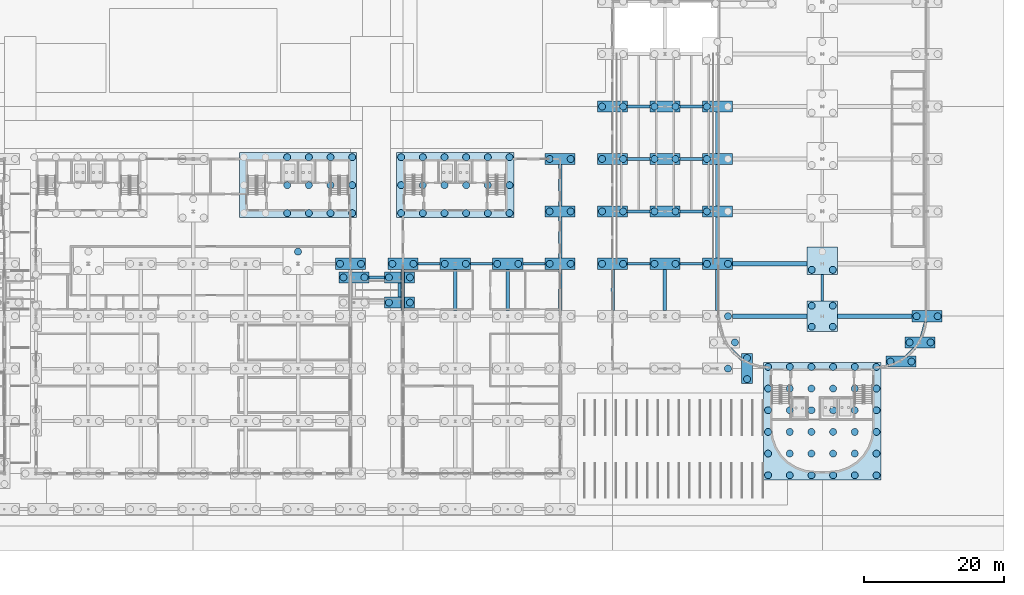
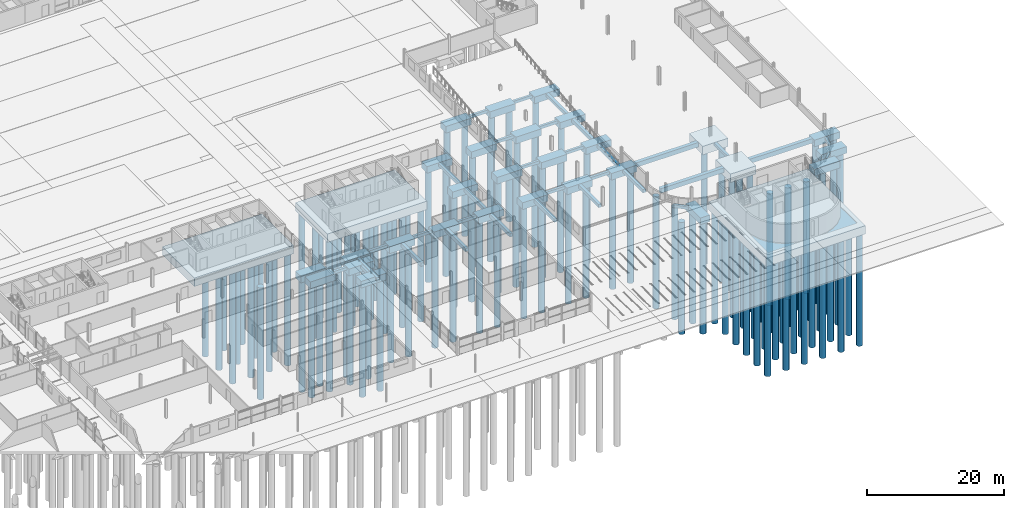
# One storey, part 5 of 130: 125 piles, 63 footings.
"""IFC4 building model written with IfcOpenShell, lengths in metres."""

import ifcopenshell
import ifcopenshell.guid

model = None  # the IFC model being written
_history = None  # IfcOwnerHistory: only IFC2X3 demands one
_inside = {}  # id of a spatial element -> (the spatial element, [elements in it])
_under = {}  # id of a project, library or spatial element -> (it, [spatial elements below it])
_declared = {}  # id of a project -> (the project, [libraries it declares])
_typed = {}  # id of a type object -> (the type object, [elements of that type])
_made_of = {}  # id of a material, layer set ... -> (it, [elements and type objects made of it])


def new_model(schema):
    """Start an empty IFC model of exactly this schema.

    Asked for "IFC4X3", IfcOpenShell would pick the latest addendum, in which some entities
    have other attributes; the version numbers below select the first issue.
    IFC2X3 requires an IfcOwnerHistory on every rooted entity: one is made here for all.
    """
    global model, _history
    if schema == "IFC4X3":
        model = ifcopenshell.file(schema_version=(4, 3, 0, 0))
    else:
        model = ifcopenshell.file(schema=schema)
    _inside.clear()
    _under.clear()
    _declared.clear()
    _typed.clear()
    _made_of.clear()
    _history = None
    if model.schema == "IFC2X3":
        org = make("IfcOrganization", Name="unknown")
        user = make(
            "IfcPersonAndOrganization",
            ThePerson=make("IfcPerson", FamilyName="unknown"),
            TheOrganization=org,
        )
        app = make(
            "IfcApplication",
            ApplicationDeveloper=org,
            Version="unknown",
            ApplicationFullName="unknown",
            ApplicationIdentifier="unknown",
        )
        _history = make(
            "IfcOwnerHistory",
            OwningUser=user,
            OwningApplication=app,
            ChangeAction="ADDED",
            CreationDate=0,
        )
    return model


def make(cls, **values):
    """One entity of the class cls with the attributes given. An attribute that is None is left unset."""
    return model.create_entity(
        cls, **{name: value for name, value in values.items() if value is not None}
    )


def rooted(cls, **values):
    """An entity with a GlobalId (a new one), such as an element, a storey or a relation."""
    return make(cls, GlobalId=ifcopenshell.guid.new(), OwnerHistory=_history, **values)


def si_unit(unit_type, name, prefix=None):
    """IfcSIUnit, for example si_unit("LENGTHUNIT", "METRE", prefix="MILLI")."""
    return make("IfcSIUnit", UnitType=unit_type, Prefix=prefix, Name=name)


def assignment(units):
    """IfcUnitAssignment: the units of a project."""
    return None if units is None else make("IfcUnitAssignment", Units=units)


def point(xyz):
    """IfcCartesianPoint."""
    return None if xyz is None else make("IfcCartesianPoint", Coordinates=xyz)


def direction(xyz):
    """IfcDirection."""
    return None if xyz is None else make("IfcDirection", DirectionRatios=xyz)


def frame(location, z_axis=None, x_axis=None):
    """IfcAxis2Placement3D, a coordinate frame: its origin and axes. An axis left out is left unset."""
    return make(
        "IfcAxis2Placement3D",
        Location=point(location),
        Axis=direction(z_axis),
        RefDirection=direction(x_axis),
    )


def frame_2d(location, x_axis=None):
    """IfcAxis2Placement2D, a coordinate frame in the plane: its origin and x axis."""
    return make(
        "IfcAxis2Placement2D", Location=point(location), RefDirection=direction(x_axis)
    )


def origin():
    """The frame at (0, 0, 0) with its axes left unset."""
    return frame((0.0, 0.0, 0.0))


def origin_2d():
    """The frame at (0, 0) in the plane with its x axis left unset."""
    return frame_2d((0.0, 0.0))


def place(relative_to, where):
    """IfcLocalPlacement: puts the frame where relative to a parent placement (None: the world)."""
    return make(
        "IfcLocalPlacement", PlacementRelTo=relative_to, RelativePlacement=where
    )


def context(
    kind, dimensions, precision=None, world=None, true_north=None, identifier=None
):
    """IfcGeometricRepresentationContext, for example the 3D "Model" context."""
    return make(
        "IfcGeometricRepresentationContext",
        ContextIdentifier=identifier,
        ContextType=kind,
        CoordinateSpaceDimension=dimensions,
        Precision=precision,
        WorldCoordinateSystem=world,
        TrueNorth=true_north,
    )


def subcontext(parent, identifier, kind, view, scale=None):
    """IfcGeometricRepresentationSubContext, for example "Body" below "Model"."""
    return make(
        "IfcGeometricRepresentationSubContext",
        ContextIdentifier=identifier,
        ContextType=kind,
        ParentContext=parent,
        TargetScale=scale,
        TargetView=view,
    )


def project(units=None, contexts=None):
    """IfcProject with its units and contexts."""
    return rooted(
        "IfcProject",
        Name="project",
        RepresentationContexts=contexts,
        UnitsInContext=assignment(units),
    )


def spatial(cls, under=None, at=None, **own):
    """A site, building, storey or space (cls), placed at a placement, below another one or the project."""
    s = rooted(cls, ObjectPlacement=at, **own)
    if under is not None:
        _under.setdefault(under.id(), (under, []))[1].append(s)
    return s


def profile(cls, at=None, kind="AREA", **sizes):
    """A parametric profile (cls). Its sizes go by their IFC names, for example OverallWidth=200.0."""
    return make(cls, ProfileType=kind, Position=at, **sizes)


def rectangle(**sizes):
    """IfcRectangleProfileDef."""
    return profile("IfcRectangleProfileDef", **sizes)


def circle(**sizes):
    """IfcCircleProfileDef."""
    return profile("IfcCircleProfileDef", **sizes)


def extrude(swept, where, along, depth):
    """IfcExtrudedAreaSolid: the profile swept, set in the frame where, extruded along a direction by depth."""
    return make(
        "IfcExtrudedAreaSolid",
        SweptArea=swept,
        Position=where,
        ExtrudedDirection=direction(along),
        Depth=depth,
    )


def shape(context_of_items, identifier, shape_type, items):
    """IfcShapeRepresentation: the items that make up one representation, for example the "Body"."""
    return make(
        "IfcShapeRepresentation",
        ContextOfItems=context_of_items,
        RepresentationIdentifier=identifier,
        RepresentationType=shape_type,
        Items=items,
    )


def material(Name=None, Category=None):
    """IfcMaterial."""
    return make("IfcMaterial", Name=Name, Category=Category)


def material_profile(
    of_material, cross_section, Name=None, Category=None, Priority=None
):
    """IfcMaterialProfile: a cross section and its material."""
    return make(
        "IfcMaterialProfile",
        Name=Name,
        Material=of_material,
        Profile=cross_section,
        Priority=Priority,
        Category=Category,
    )


def profile_set(profiles, Name=None, composite=None):
    """IfcMaterialProfileSet."""
    return make(
        "IfcMaterialProfileSet",
        Name=Name,
        MaterialProfiles=profiles,
        CompositeProfile=composite,
    )


def made_of(thing, what):
    """Note that an element or type object is made of a material, layer set ...; save() writes the relation."""
    if what is not None:
        _made_of.setdefault(what.id(), (what, []))[1].append(thing)
    return thing


def type_object(cls, material=None, **own):
    """A type object (cls), such as IfcWallType, which elements share."""
    return made_of(rooted(cls, **own), material)


def element(
    cls,
    number,
    at=None,
    inside=None,
    cuts=None,
    type_object=None,
    material=None,
    context=None,
    identifier="Body",
    shape_type=None,
    held_by="IfcProductDefinitionShape",
    body=None,
    shapes=None,
    **own,
):
    """One element of the class cls, such as IfcWall. Its Tag is "e" and its number.

    at: its placement. inside: the storey or other place that contains it. cuts: it is an
    opening in that element (IfcRelVoidsElement). A single representation is given by context,
    identifier, shape_type and body (its items); several are given by shapes. held_by: the class
    of the entity that holds the representations. save() writes the other relations.
    """
    e = rooted(cls, Tag="e%d" % number, ObjectPlacement=at, **own)
    if body is not None:
        shapes = [shape(context, identifier, shape_type, body)]
    if shapes is not None:
        e.Representation = make(held_by, Representations=shapes)
    if inside is not None:
        _inside.setdefault(inside.id(), (inside, []))[1].append(e)
    if cuts is not None:
        rooted(
            "IfcRelVoidsElement", RelatingBuildingElement=cuts, RelatedOpeningElement=e
        )
    if type_object is not None:
        _typed.setdefault(type_object.id(), (type_object, []))[1].append(e)
    return made_of(e, material)


def aggregate(whole, parts):
    """IfcRelAggregates: a whole, such as a stair, and the parts it consists of."""
    return rooted("IfcRelAggregates", RelatingObject=whole, RelatedObjects=parts)


def save(model, path):
    """Write the relations noted so far, then the file.

    IfcRelAggregates (storeys below a building ...), IfcRelContainedInSpatialStructure (elements
    in a storey), IfcRelDefinesByType, IfcRelAssociatesMaterial and IfcRelDeclares: one each for
    every whole, place, type object, material and project.
    """
    for whole, parts in _under.values():
        aggregate(whole, parts)
    for where, things in _inside.values():
        rooted(
            "IfcRelContainedInSpatialStructure",
            RelatedElements=things,
            RelatingStructure=where,
        )
    for kind, things in _typed.values():
        rooted("IfcRelDefinesByType", RelatedObjects=things, RelatingType=kind)
    for what, things in _made_of.values():
        rooted("IfcRelAssociatesMaterial", RelatedObjects=things, RelatingMaterial=what)
    for by, libraries in _declared.values():
        rooted("IfcRelDeclares", RelatingContext=by, RelatedDefinitions=libraries)
    model.write(path)


model = new_model("IFC4")

# Units and contexts
model_context = context("Model", 3, precision=1e-05, world=origin(), true_north=direction((0.0, 1.0)))
body_context = subcontext(model_context, "Body", "Model", "MODEL_VIEW")
ifc_project = project(units=[si_unit("LENGTHUNIT", "METRE"), si_unit("AREAUNIT", "SQUARE_METRE"), si_unit("VOLUMEUNIT", "CUBIC_METRE"), si_unit("PLANEANGLEUNIT", "RADIAN"), si_unit("MASSUNIT", "GRAM", prefix="KILO")], contexts=[model_context])

# Site, building, storey
site_placement = place(None, origin())
site = spatial("IfcSite", under=ifc_project, at=site_placement, CompositionType="ELEMENT")
building_placement = place(site_placement, origin())
building = spatial("IfcBuilding", under=site, at=building_placement, Name="Parallax Yard Mobility Hub", CompositionType="ELEMENT")
storey_placement = place(building_placement, origin())
storey = spatial("IfcBuildingStorey", under=building, at=storey_placement, Name="L00", CompositionType="ELEMENT", Elevation=0.0)

# Piles
ifc_material = material(Name="Concrete fc' 28 MPa", Category="concrete")
ifc_material_profile_1 = material_profile(ifc_material, circle(Radius=0.5, at=origin_2d()), Name="Bored pile D1000")
ifc_profile_set_1 = profile_set([ifc_material_profile_1], Name="Concrete fc' 28 MPa")
pile_type = type_object("IfcPileType", Name="Bored pile D1000", PredefinedType="BORED", material=ifc_profile_set_1)
for number, where, z_axis, x_axis, name in (
    (1, (196.5048828125, 22.5, -1.35009765625), (0.0, 0.0, -1.0), (1.0, 0.0, 0.0), "Bored pile 2 of PC1 under column V2 at D/27"),
    (2, (178.4951171875, 37.5, -1.35009765625), (0.0, 0.0, -1.0), (1.0, 0.0, 0.0), "Bored pile 1 of PC1 under column V2 at F/25"),
    (3, (181.5048828125, 37.5, -1.35009765625), (0.0, 0.0, -1.0), (1.0, 0.0, 0.0), "Bored pile 2 of PC1 under column V2 at F/25"),
    (4, (185.9951171875, 37.5, -1.35009765625), (0.0, 0.0, -1.0), (1.0, 0.0, 0.0), "Bored pile 1 of PC1 under column V2 at F/26"),
    (5, (189.0048828125, 37.5, -1.35009765625), (0.0, 0.0, -1.0), (1.0, 0.0, 0.0), "Bored pile 2 of PC1 under column V2 at F/26"),
    (6, (178.4951171875, 45.0, -1.35009765625), (0.0, 0.0, -1.0), (1.0, 0.0, 0.0), "Bored pile 1 of PC1 under column V2 at G/25"),
    (7, (181.5048828125, 45.0, -1.35009765625), (0.0, 0.0, -1.0), (1.0, 0.0, 0.0), "Bored pile 2 of PC1 under column V2 at G/25"),
    (8, (185.9951171875, 45.0, -1.35009765625), (0.0, 0.0, -1.0), (1.0, 0.0, 0.0), "Bored pile 1 of PC1 under column V2 at G/26"),
    (9, (189.0048828125, 45.0, -1.35009765625), (0.0, 0.0, -1.0), (1.0, 0.0, 0.0), "Bored pile 2 of PC1 under column V2 at G/26"),
    (10, (178.4951171875, 52.5, -1.35009765625), (0.0, 0.0, -1.0), (1.0, 0.0, 0.0), "Bored pile 1 of PC1 under column V2 at H/25"),
    (11, (181.5048828125, 52.5, -1.35009765625), (0.0, 0.0, -1.0), (1.0, 0.0, 0.0), "Bored pile 2 of PC1 under column V2 at H/25"),
    (12, (185.9951171875, 52.5, -1.35009765625), (0.0, 0.0, -1.0), (1.0, 0.0, 0.0), "Bored pile 1 of PC1 under column V2 at H/26"),
    (13, (189.0048828125, 52.5, -1.35009765625), (0.0, 0.0, -1.0), (1.0, 0.0, 0.0), "Bored pile 2 of PC1 under column V2 at H/26"),
    (14, (178.4951171875, 60.0, -1.35009765625), (0.0, 0.0, -1.0), (1.0, 0.0, 0.0), "Bored pile 1 of PC1 under column V2 at J/25"),
    (15, (181.5048828125, 60.0, -1.35009765625), (0.0, 0.0, -1.0), (1.0, 0.0, 0.0), "Bored pile 2 of PC1 under column V2 at J/25"),
    (16, (185.9951171875, 60.0, -1.35009765625), (0.0, 0.0, -1.0), (1.0, 0.0, 0.0), "Bored pile 1 of PC1 under column V2 at J/26"),
    (17, (189.0048828125, 60.0, -1.35009765625), (0.0, 0.0, -1.0), (1.0, 0.0, 0.0), "Bored pile 2 of PC1 under column V2 at J/26"),
    (18, (196.5048828125, 30.0, -1.35009765625), (0.0, 0.0, -1.0), (1.0, 0.0, 0.0), "Bored pile 2 of PC1 under column V4 at E/27"),
    (19, (208.4951171875, 28.4951171875, -1.64990234375), (0.0, 0.0, -1.0), (1.0, 0.0, 0.0), "Bored pile 1 of PC2 under column V4 at E/29"),
    (20, (211.5048828125, 28.4951171875, -1.64990234375), (0.0, 0.0, -1.0), (1.0, 0.0, 0.0), "Bored pile 2 of PC2 under column V4 at E/29"),
    (21, (208.4951171875, 31.5048828125, -1.64990234375), (0.0, 0.0, -1.0), (1.0, 0.0, 0.0), "Bored pile 3 of PC2 under column V4 at E/29"),
    (22, (211.5048828125, 31.5048828125, -1.64990234375), (0.0, 0.0, -1.0), (1.0, 0.0, 0.0), "Bored pile 4 of PC2 under column V4 at E/29"),
    (23, (223.4951171875, 30.0, -1.35009765625), (0.0, 0.0, -1.0), (1.0, 0.0, 0.0), "Bored pile 1 of PC1 under column V4 at E/31"),
    (24, (226.5048828125, 30.0, -1.35009765625), (0.0, 0.0, -1.0), (1.0, 0.0, 0.0), "Bored pile 2 of PC1 under column V4 at E/31"),
    (25, (193.4951171875, 37.5, -1.35009765625), (0.0, 0.0, -1.0), (1.0, 0.0, 0.0), "Bored pile 1 of PC1 under column V4 at F/27"),
    (26, (196.5048828125, 37.5, -1.35009765625), (0.0, 0.0, -1.0), (1.0, 0.0, 0.0), "Bored pile 2 of PC1 under column V4 at F/27"),
    (27, (208.4951171875, 36.631103515625, -1.64990234375), (0.0, 0.0, -1.0), (1.0, 0.0, 0.0), "Bored pile 1 of PC3 under column V4 at F/29"),
    (28, (211.5048828125, 36.631103515625, -1.64990234375), (0.0, 0.0, -1.0), (1.0, 0.0, 0.0), "Bored pile 2 of PC3 under column V4 at F/29"),
    (29, (193.4951171875, 45.0, -1.35009765625), (0.0, 0.0, -1.0), (1.0, 0.0, 0.0), "Bored pile 1 of PC1 under column V4 at G/27"),
    (30, (193.4951171875, 52.5, -1.35009765625), (0.0, 0.0, -1.0), (1.0, 0.0, 0.0), "Bored pile 1 of PC1 under column V4 at H/27"),
    (31, (193.4951171875, 60.0, -1.35009765625), (0.0, 0.0, -1.0), (1.0, 0.0, 0.0), "Bored pile 1 of PC1 under column V4 at J/27"),
    (32, (219.7451171875, 23.5048828125, -1.35009765625), (0.0, 0.0, -1.0), (1.0, 0.0, 0.0), "Bored pile 1 of PC1 under column V4 at S-E1"),
    (33, (222.7548828125, 23.5048828125, -1.35009765625), (0.0, 0.0, -1.0), (1.0, 0.0, 0.0), "Bored pile 2 of PC1 under column V4 at S-E1"),
    (34, (222.490234375, 26.25, -1.35009765625), (0.0, 0.0, -1.0), (1.0, 0.0, 0.0), "Bored pile 1 of PC1 under column V4 at S-E2"),
    (35, (225.500244140625, 26.25, -1.35009765625), (0.0, 0.0, -1.0), (1.0, 0.0, 0.0), "Bored pile 2 of PC1 under column V4 at S-E2"),
    (36, (197.509765625, 26.25, -1.35009765625), (0.0, 0.0, -1.0), (1.0, 0.0, 0.0), "Bored pile 2 of PC1 under column V4 at S-W1"),
    (37, (199.25, 20.999755859375, -1.35009765625), (0.0, 0.0, -1.0), (1.0, 0.0, 0.0), "Bored pile 1 of PC1 under column V4 at S-W2"),
    (38, (199.25, 24.009765625, -1.35009765625), (0.0, 0.0, -1.0), (1.0, 0.0, 0.0), "Bored pile 2 of PC1 under column V4 at S-W2"),
    (39, (148.4951171875, 37.5, -1.35009765625), (0.0, 0.0, -1.0), (1.0, 0.0, 0.0), "Bored pile 1 of PC1 under column V5 at F/21"),
    (40, (151.5048828125, 37.5, -1.35009765625), (0.0, 0.0, -1.0), (1.0, 0.0, 0.0), "Bored pile 2 of PC1 under column V5 at F/21"),
    (41, (155.9951171875, 37.5, -1.35009765625), (0.0, 0.0, -1.0), (1.0, 0.0, 0.0), "Bored pile 1 of PC1 under column V5 at F/22"),
    (42, (159.0048828125, 37.5, -1.35009765625), (0.0, 0.0, -1.0), (1.0, 0.0, 0.0), "Bored pile 2 of PC1 under column V5 at F/22"),
    (43, (163.4951171875, 37.5, -1.35009765625), (0.0, 0.0, -1.0), (1.0, 0.0, 0.0), "Bored pile 1 of PC1 under column V5 at F/23"),
    (44, (166.5048828125, 37.5, -1.35009765625), (0.0, 0.0, -1.0), (1.0, 0.0, 0.0), "Bored pile 2 of PC1 under column V5 at F/23"),
    (45, (170.9951171875, 37.5, -1.35009765625), (0.0, 0.0, -1.0), (1.0, 0.0, 0.0), "Bored pile 1 of PC1 under column V5 at F/24"),
    (46, (174.0048828125, 37.5, -1.35009765625), (0.0, 0.0, -1.0), (1.0, 0.0, 0.0), "Bored pile 2 of PC1 under column V5 at F/24"),
    (47, (170.9951171875, 45.0, -1.35009765625), (0.0, 0.0, -1.0), (1.0, 0.0, 0.0), "Bored pile 1 of PC1 under column V5 at G/24"),
    (48, (174.0048828125, 45.0, -1.35009765625), (0.0, 0.0, -1.0), (1.0, 0.0, 0.0), "Bored pile 2 of PC1 under column V5 at G/24"),
    (49, (170.9951171875, 52.5, -1.35009765625), (0.0, 0.0, -1.0), (1.0, 0.0, 0.0), "Bored pile 1 of PC1 under column V5 at H/24"),
    (50, (174.0048828125, 52.5, -1.35009765625), (0.0, 0.0, -1.0), (1.0, 0.0, 0.0), "Bored pile 2 of PC1 under column V5 at H/24"),
    (51, (135.0, 39.23779296875, -1.64990234375), (0.0, 0.0, -1.0), (1.0, 0.0, 0.0), "Bored pile 3 of PC3 under column V6 at F/19"),
    (52, (140.9951171875, 37.5, -1.35009765625), (0.0, 0.0, -1.0), (1.0, 0.0, 0.0), "Bored pile 1 of PC1 under column V6 at F/20"),
    (53, (144.0048828125, 37.5, -1.35009765625), (0.0, 0.0, -1.0), (1.0, 0.0, 0.0), "Bored pile 2 of PC1 under column V6 at F/20"),
    (54, (217.75, 7.25, -1.64990234375), (0.0, 0.0, -1.0), (1.0, 0.0, 0.0), "Bored pile 1 of PR2 under core C-S"),
    (55, (217.75, 10.35009765625, -1.64990234375), (0.0, 0.0, -1.0), (1.0, 0.0, 0.0), "Bored pile 2 of PR2 under core C-S"),
    (56, (217.75, 13.449951171875, -1.64990234375), (0.0, 0.0, -1.0), (1.0, 0.0, 0.0), "Bored pile 3 of PR2 under core C-S"),
    (57, (217.75, 16.550048828125, -1.64990234375), (0.0, 0.0, -1.0), (1.0, 0.0, 0.0), "Bored pile 4 of PR2 under core C-S"),
    (58, (217.75, 19.64990234375, -1.64990234375), (0.0, 0.0, -1.0), (1.0, 0.0, 0.0), "Bored pile 5 of PR2 under core C-S"),
    (59, (217.75, 22.75, -1.64990234375), (0.0, 0.0, -1.0), (1.0, 0.0, 0.0), "Bored pile 6 of PR2 under core C-S"),
    (60, (214.64990234375, 7.25, -1.64990234375), (0.0, 0.0, -1.0), (1.0, 0.0, 0.0), "Bored pile 7 of PR2 under core C-S"),
    (61, (214.64990234375, 10.35009765625, -1.64990234375), (0.0, 0.0, -1.0), (1.0, 0.0, 0.0), "Bored pile 8 of PR2 under core C-S"),
    (62, (214.64990234375, 13.449951171875, -1.64990234375), (0.0, 0.0, -1.0), (1.0, 0.0, 0.0), "Bored pile 9 of PR2 under core C-S"),
    (63, (214.64990234375, 16.550048828125, -1.64990234375), (0.0, 0.0, -1.0), (1.0, 0.0, 0.0), "Bored pile 10 of PR2 under core C-S"),
    (64, (214.64990234375, 19.64990234375, -1.64990234375), (0.0, 0.0, -1.0), (1.0, 0.0, 0.0), "Bored pile 11 of PR2 under core C-S"),
    (65, (214.64990234375, 22.75, -1.64990234375), (0.0, 0.0, -1.0), (1.0, 0.0, 0.0), "Bored pile 12 of PR2 under core C-S"),
    (66, (211.550048828125, 7.25, -1.64990234375), (0.0, 0.0, -1.0), (1.0, 0.0, 0.0), "Bored pile 13 of PR2 under core C-S"),
    (67, (211.550048828125, 10.35009765625, -1.64990234375), (0.0, 0.0, -1.0), (1.0, 0.0, 0.0), "Bored pile 14 of PR2 under core C-S"),
    (68, (211.550048828125, 13.449951171875, -1.64990234375), (0.0, 0.0, -1.0), (1.0, 0.0, 0.0), "Bored pile 15 of PR2 under core C-S"),
    (69, (211.550048828125, 16.550048828125, -1.64990234375), (0.0, 0.0, -1.0), (1.0, 0.0, 0.0), "Bored pile 16 of PR2 under core C-S"),
    (70, (211.550048828125, 19.64990234375, -1.64990234375), (0.0, 0.0, -1.0), (1.0, 0.0, 0.0), "Bored pile 17 of PR2 under core C-S"),
    (71, (211.550048828125, 22.75, -1.64990234375), (0.0, 0.0, -1.0), (1.0, 0.0, 0.0), "Bored pile 18 of PR2 under core C-S"),
    (72, (208.449951171875, 7.25, -1.64990234375), (0.0, 0.0, -1.0), (1.0, 0.0, 0.0), "Bored pile 19 of PR2 under core C-S"),
    (73, (208.449951171875, 10.35009765625, -1.64990234375), (0.0, 0.0, -1.0), (1.0, 0.0, 0.0), "Bored pile 20 of PR2 under core C-S"),
    (74, (208.449951171875, 13.449951171875, -1.64990234375), (0.0, 0.0, -1.0), (1.0, 0.0, 0.0), "Bored pile 21 of PR2 under core C-S"),
    (75, (208.449951171875, 16.550048828125, -1.64990234375), (0.0, 0.0, -1.0), (1.0, 0.0, 0.0), "Bored pile 22 of PR2 under core C-S"),
    (76, (208.449951171875, 19.64990234375, -1.64990234375), (0.0, 0.0, -1.0), (1.0, 0.0, 0.0), "Bored pile 23 of PR2 under core C-S"),
    (77, (208.449951171875, 22.75, -1.64990234375), (0.0, 0.0, -1.0), (1.0, 0.0, 0.0), "Bored pile 24 of PR2 under core C-S"),
    (78, (205.35009765625, 7.25, -1.64990234375), (0.0, 0.0, -1.0), (1.0, 0.0, 0.0), "Bored pile 25 of PR2 under core C-S"),
    (79, (205.35009765625, 10.35009765625, -1.64990234375), (0.0, 0.0, -1.0), (1.0, 0.0, 0.0), "Bored pile 26 of PR2 under core C-S"),
    (80, (205.35009765625, 13.449951171875, -1.64990234375), (0.0, 0.0, -1.0), (1.0, 0.0, 0.0), "Bored pile 27 of PR2 under core C-S"),
    (81, (205.35009765625, 16.550048828125, -1.64990234375), (0.0, 0.0, -1.0), (1.0, 0.0, 0.0), "Bored pile 28 of PR2 under core C-S"),
    (82, (205.35009765625, 19.64990234375, -1.64990234375), (0.0, 0.0, -1.0), (1.0, 0.0, 0.0), "Bored pile 29 of PR2 under core C-S"),
    (83, (205.35009765625, 22.75, -1.64990234375), (0.0, 0.0, -1.0), (1.0, 0.0, 0.0), "Bored pile 30 of PR2 under core C-S"),
    (84, (202.25, 7.25, -1.64990234375), (0.0, 0.0, -1.0), (1.0, 0.0, 0.0), "Bored pile 31 of PR2 under core C-S"),
    (85, (202.25, 10.35009765625, -1.64990234375), (0.0, 0.0, -1.0), (1.0, 0.0, 0.0), "Bored pile 32 of PR2 under core C-S"),
    (86, (202.25, 13.449951171875, -1.64990234375), (0.0, 0.0, -1.0), (1.0, 0.0, 0.0), "Bored pile 33 of PR2 under core C-S"),
    (87, (202.25, 16.550048828125, -1.64990234375), (0.0, 0.0, -1.0), (1.0, 0.0, 0.0), "Bored pile 34 of PR2 under core C-S"),
    (88, (202.25, 19.64990234375, -1.64990234375), (0.0, 0.0, -1.0), (1.0, 0.0, 0.0), "Bored pile 35 of PR2 under core C-S"),
    (89, (202.25, 22.75, -1.64990234375), (0.0, 0.0, -1.0), (1.0, 0.0, 0.0), "Bored pile 36 of PR2 under core C-S"),
    (90, (149.75, 44.75, -1.64990234375), (0.0, 0.0, -1.0), (1.0, 0.0, 0.0), "Bored pile 1 of PR1 under core C5"),
    (91, (152.85009765625, 44.75, -1.64990234375), (0.0, 0.0, -1.0), (1.0, 0.0, 0.0), "Bored pile 2 of PR1 under core C5"),
    (92, (155.949951171875, 44.75, -1.64990234375), (0.0, 0.0, -1.0), (1.0, 0.0, 0.0), "Bored pile 3 of PR1 under core C5"),
    (93, (159.050048828125, 44.75, -1.64990234375), (0.0, 0.0, -1.0), (1.0, 0.0, 0.0), "Bored pile 4 of PR1 under core C5"),
    (94, (162.14990234375, 44.75, -1.64990234375), (0.0, 0.0, -1.0), (1.0, 0.0, 0.0), "Bored pile 5 of PR1 under core C5"),
    (95, (165.25, 44.75, -1.64990234375), (0.0, 0.0, -1.0), (1.0, 0.0, 0.0), "Bored pile 6 of PR1 under core C5"),
    (96, (149.75, 48.75, -1.64990234375), (0.0, 0.0, -1.0), (1.0, 0.0, 0.0), "Bored pile 7 of PR1 under core C5"),
    (97, (152.85009765625, 48.75, -1.64990234375), (0.0, 0.0, -1.0), (1.0, 0.0, 0.0), "Bored pile 8 of PR1 under core C5"),
    (98, (155.949951171875, 48.75, -1.64990234375), (0.0, 0.0, -1.0), (1.0, 0.0, 0.0), "Bored pile 9 of PR1 under core C5"),
    (99, (159.050048828125, 48.75, -1.64990234375), (0.0, 0.0, -1.0), (1.0, 0.0, 0.0), "Bored pile 10 of PR1 under core C5"),
    (100, (162.14990234375, 48.75, -1.64990234375), (0.0, 0.0, -1.0), (1.0, 0.0, 0.0), "Bored pile 11 of PR1 under core C5"),
    (101, (165.25, 48.75, -1.64990234375), (0.0, 0.0, -1.0), (1.0, 0.0, 0.0), "Bored pile 12 of PR1 under core C5"),
    (102, (149.75, 52.75, -1.64990234375), (0.0, 0.0, -1.0), (1.0, 0.0, 0.0), "Bored pile 13 of PR1 under core C5"),
    (103, (152.85009765625, 52.75, -1.64990234375), (0.0, 0.0, -1.0), (1.0, 0.0, 0.0), "Bored pile 14 of PR1 under core C5"),
    (104, (155.949951171875, 52.75, -1.64990234375), (0.0, 0.0, -1.0), (1.0, 0.0, 0.0), "Bored pile 15 of PR1 under core C5"),
    (105, (159.050048828125, 52.75, -1.64990234375), (0.0, 0.0, -1.0), (1.0, 0.0, 0.0), "Bored pile 16 of PR1 under core C5"),
    (106, (162.14990234375, 52.75, -1.64990234375), (0.0, 0.0, -1.0), (1.0, 0.0, 0.0), "Bored pile 17 of PR1 under core C5"),
    (107, (165.25, 52.75, -1.64990234375), (0.0, 0.0, -1.0), (1.0, 0.0, 0.0), "Bored pile 18 of PR1 under core C5"),
    (108, (133.449951171875, 44.75, -1.64990234375), (0.0, 0.0, -1.0), (1.0, 0.0, 0.0), "Bored pile 3 of PR1 under core C6-E"),
    (109, (136.550048828125, 44.75, -1.64990234375), (0.0, 0.0, -1.0), (1.0, 0.0, 0.0), "Bored pile 4 of PR1 under core C6-E"),
    (110, (139.64990234375, 44.75, -1.64990234375), (0.0, 0.0, -1.0), (1.0, 0.0, 0.0), "Bored pile 5 of PR1 under core C6-E"),
    (111, (142.75, 44.75, -1.64990234375), (0.0, 0.0, -1.0), (1.0, 0.0, 0.0), "Bored pile 6 of PR1 under core C6-E"),
    (112, (133.449951171875, 48.75, -1.64990234375), (0.0, 0.0, -1.0), (1.0, 0.0, 0.0), "Bored pile 9 of PR1 under core C6-E"),
    (113, (136.550048828125, 48.75, -1.64990234375), (0.0, 0.0, -1.0), (1.0, 0.0, 0.0), "Bored pile 10 of PR1 under core C6-E"),
    (114, (139.64990234375, 48.75, -1.64990234375), (0.0, 0.0, -1.0), (1.0, 0.0, 0.0), "Bored pile 11 of PR1 under core C6-E"),
    (115, (142.75, 48.75, -1.64990234375), (0.0, 0.0, -1.0), (1.0, 0.0, 0.0), "Bored pile 12 of PR1 under core C6-E"),
    (116, (133.449951171875, 52.75, -1.64990234375), (0.0, 0.0, -1.0), (1.0, 0.0, 0.0), "Bored pile 15 of PR1 under core C6-E"),
    (117, (136.550048828125, 52.75, -1.64990234375), (0.0, 0.0, -1.0), (1.0, 0.0, 0.0), "Bored pile 16 of PR1 under core C6-E"),
    (118, (139.64990234375, 52.75, -1.64990234375), (0.0, 0.0, -1.0), (1.0, 0.0, 0.0), "Bored pile 17 of PR1 under core C6-E"),
    (119, (142.75, 52.75, -1.64990234375), (0.0, 0.0, -1.0), (1.0, 0.0, 0.0), "Bored pile 18 of PR1 under core C6-E"),
    (120, (147.9951171875, 31.949951171875, -1.35009765625), (0.0, 0.0, -1.0), (1.0, 0.0, 0.0), "Bored pile 1 of PC1 under column RT at BR-BR3-PI0320-2-L00"),
    (121, (151.0048828125, 31.949951171875, -1.35009765625), (0.0, 0.0, -1.0), (1.0, 0.0, 0.0), "Bored pile 2 of PC1 under column RT at BR-BR3-PI0320-2-L00"),
    (122, (141.4951171875, 35.550048828125, -1.35009765625), (0.0, 0.0, -1.0), (1.0, 0.0, 0.0), "Bored pile 1 of PC1 under column RT at BR-BR3-PI0356-1-L00"),
    (123, (144.5048828125, 35.550048828125, -1.35009765625), (0.0, 0.0, -1.0), (1.0, 0.0, 0.0), "Bored pile 2 of PC1 under column RT at BR-BR3-PI0356-1-L00"),
    (124, (147.9951171875, 35.550048828125, -1.35009765625), (0.0, 0.0, -1.0), (1.0, 0.0, 0.0), "Bored pile 1 of PC1 under column RT at BR-BR3-PI0356-2-L00"),
    (125, (151.0048828125, 35.550048828125, -1.35009765625), (0.0, 0.0, -1.0), (1.0, 0.0, 0.0), "Bored pile 2 of PC1 under column RT at BR-BR3-PI0356-2-L00"),
):
    element("IfcPile", number, at=place(storey_placement, frame(where, z_axis=z_axis, x_axis=x_axis)), inside=storey, type_object=pile_type, Name=name, PredefinedType="BORED", context=body_context, shape_type="SweptSolid", body=[
        extrude(circle(Radius=0.5, at=origin_2d()), origin(), (0.0, 0.0, 1.0), 20.0),
    ])

# Footings
footing_type_1 = type_object("IfcFootingType", Name="Core pile raft 16800x16800x1500", PredefinedType="PILE_CAP", material=ifc_material)
footing_1_placement = place(storey_placement, frame((210.0, 15.0, -1.75), z_axis=(0.0, 0.0, 1.0), x_axis=(0.0, 1.0, 0.0)))
element("IfcFooting", 126, at=footing_1_placement, inside=storey, type_object=footing_type_1, Name="Core pile raft PR2 under core C-S", PredefinedType="PILE_CAP", context=body_context, shape_type="SweptSolid", body=[
    extrude(rectangle(XDim=16.800048828125, YDim=16.800048828125, at=origin_2d()), origin(), (0.0, 0.0, 1.0), 1.5),
])
footing_type_2 = type_object("IfcFootingType", Name="Core pile raft 16800x9300x1500", PredefinedType="PILE_CAP", material=ifc_material)
for number, where, z_axis, x_axis, name in (
    (127, (157.5, 48.75, -1.75), (0.0, 0.0, 1.0), (1.0, 0.0, 0.0), "Core pile raft PR1 under core C5"),
    (128, (135.0, 48.75, -1.75), (0.0, 0.0, 1.0), (1.0, 0.0, 0.0), "Core pile raft PR1 under core C6-E"),
):
    element("IfcFooting", number, at=place(storey_placement, frame(where, z_axis=z_axis, x_axis=x_axis)), inside=storey, type_object=footing_type_2, Name=name, PredefinedType="PILE_CAP", context=body_context, shape_type="SweptSolid", body=[
        extrude(rectangle(XDim=16.800048828125, YDim=9.300048828125, at=origin_2d()), origin(), (0.0, 0.0, 1.0), 1.5),
    ])
ifc_material_profile_2 = material_profile(ifc_material, rectangle(XDim=0.39990234375, YDim=0.5, at=origin_2d()), Name="Grade beam 400x500")
ifc_profile_set_2 = profile_set([ifc_material_profile_2], Name="Concrete fc' 28 MPa")
footing_type_3 = type_object("IfcFootingType", Name="Grade beam 400x500", PredefinedType="STRIP_FOOTING", material=ifc_profile_set_2)
for number, where, z_axis, x_axis, name in (
    (129, (182.155029296875, 37.5, -0.5), (1.0, 0.0, 0.0), (0.0, 1.0, 0.0), "Grade beam GB1 between F/25 and F/26 of ramp house"),
    (130, (189.655029296875, 37.5, -0.5), (1.0, 0.0, 0.0), (0.0, 1.0, 0.0), "Grade beam GB1 between F/26 and F/27 of ramp house"),
    (131, (182.155029296875, 45.0, -0.5), (1.0, 0.0, 0.0), (0.0, 1.0, 0.0), "Grade beam GB1 between G/25 and G/26 of ramp house"),
    (132, (189.655029296875, 45.0, -0.5), (1.0, 0.0, 0.0), (0.0, 1.0, 0.0), "Grade beam GB1 between G/26 and G/27 of ramp house"),
    (133, (182.155029296875, 52.5, -0.5), (1.0, 0.0, 0.0), (0.0, 1.0, 0.0), "Grade beam GB1 between H/25 and H/26 of ramp house"),
    (134, (189.655029296875, 52.5, -0.5), (1.0, 0.0, 0.0), (0.0, 1.0, 0.0), "Grade beam GB1 between H/26 and H/27 of ramp house"),
    (135, (182.155029296875, 60.0, -0.5), (1.0, 0.0, 0.0), (0.0, 1.0, 0.0), "Grade beam GB1 between J/25 and J/26 of ramp house"),
    (136, (189.655029296875, 60.0, -0.5), (1.0, 0.0, 0.0), (0.0, 1.0, 0.0), "Grade beam GB1 between J/26 and J/27 of ramp house"),
):
    element("IfcFooting", number, at=place(storey_placement, frame(where, z_axis=z_axis, x_axis=x_axis)), inside=storey, type_object=footing_type_3, Name=name, PredefinedType="STRIP_FOOTING", context=body_context, shape_type="SweptSolid", body=[
        extrude(rectangle(XDim=0.39990234375, YDim=0.5, at=origin_2d()), origin(), (0.0, 0.0, 1.0), 3.18994140625),
    ])
footing_2_placement = place(storey_placement, frame((210.0, 32.155029296875, -0.5), z_axis=(0.0, 1.0, 0.0), x_axis=(-1.0, 0.0, 0.0)))
element("IfcFooting", 137, at=footing_2_placement, inside=storey, type_object=footing_type_3, Name="Grade beam GB1 between E/29 and F/29 of ramped parking decks", PredefinedType="STRIP_FOOTING", context=body_context, shape_type="SweptSolid", body=[
    extrude(rectangle(XDim=0.39990234375, YDim=0.5, at=origin_2d()), origin(), (0.0, 0.0, 1.0), 3.826171875),
])
footing_3_placement = place(storey_placement, frame((224.78564453125, 29.199951171875, -0.5), z_axis=(-0.258761672144, -0.965941197501, 0.0), x_axis=(0.965941197501, -0.258761672144, 0.0)))
element("IfcFooting", 138, at=footing_3_placement, inside=storey, type_object=footing_type_3, Name="Grade beam GB1 between E/31 and S-E2 of ramped parking decks", PredefinedType="STRIP_FOOTING", context=body_context, shape_type="SweptSolid", body=[
    extrude(rectangle(XDim=0.39990234375, YDim=0.5, at=origin_2d()), origin(), (0.0, 0.0, 1.0), 2.2255859375),
])
footing_4_placement = place(storey_placement, frame((222.050048828125, 24.3046875, -0.5), z_axis=(0.707106781187, 0.707106781187, 0.0), x_axis=(-0.707106781187, 0.707106781187, 0.0)))
element("IfcFooting", 139, at=footing_4_placement, inside=storey, type_object=footing_type_3, Name="Grade beam GB1 between S-E1 and S-E2 of ramped parking decks", PredefinedType="STRIP_FOOTING", context=body_context, shape_type="SweptSolid", body=[
    extrude(rectangle(XDim=0.39990234375, YDim=0.5, at=origin_2d()), origin(), (0.0, 0.0, 1.0), 1.61962890625),
])
footing_5_placement = place(storey_placement, frame((196.8046875, 25.449951171875, -0.5), z_axis=(0.707106781187, -0.707106781187, 0.0), x_axis=(0.707106781187, 0.707106781187, 0.0)))
element("IfcFooting", 140, at=footing_5_placement, inside=storey, type_object=footing_type_3, Name="Grade beam GB1 between S-W1 and S-W2 of ramped parking decks", PredefinedType="STRIP_FOOTING", context=body_context, shape_type="SweptSolid", body=[
    extrude(rectangle(XDim=0.39990234375, YDim=0.5, at=origin_2d()), origin(), (0.0, 0.0, 1.0), 2.32666015625),
])
for number, where, z_axis, x_axis, name in (
    (141, (152.155029296875, 37.5, -0.5), (1.0, 0.0, 0.0), (0.0, 1.0, 0.0), "Grade beam GB1 between F/21 and F/22 of bicycle and shared-mobility hall"),
    (142, (159.655029296875, 37.5, -0.5), (1.0, 0.0, 0.0), (0.0, 1.0, 0.0), "Grade beam GB1 between F/22 and F/23 of bicycle and shared-mobility hall"),
    (143, (167.155029296875, 37.5, -0.5), (1.0, 0.0, 0.0), (0.0, 1.0, 0.0), "Grade beam GB1 between F/23 and F/24 of bicycle and shared-mobility hall"),
):
    element("IfcFooting", number, at=place(storey_placement, frame(where, z_axis=z_axis, x_axis=x_axis)), inside=storey, type_object=footing_type_3, Name=name, PredefinedType="STRIP_FOOTING", context=body_context, shape_type="SweptSolid", body=[
        extrude(rectangle(XDim=0.39990234375, YDim=0.5, at=origin_2d()), origin(), (0.0, 0.0, 1.0), 3.18994140625),
    ])
footing_6_placement = place(storey_placement, frame((149.5, 32.75, -0.5), z_axis=(0.0, 1.0, 0.0), x_axis=(-1.0, 0.0, 0.0)))
element("IfcFooting", 144, at=footing_6_placement, inside=storey, type_object=footing_type_3, Name="Grade beam GB1 between two column caps of the roof and arcade columns", PredefinedType="STRIP_FOOTING", context=body_context, shape_type="SweptSolid", body=[
    extrude(rectangle(XDim=0.39990234375, YDim=0.5, at=origin_2d()), origin(), (0.0, 0.0, 1.0), 2.0),
])
footing_7_placement = place(storey_placement, frame((145.155029296875, 35.550048828125, -0.5), z_axis=(1.0, 0.0, 0.0), x_axis=(0.0, 1.0, 0.0)))
element("IfcFooting", 145, at=footing_7_placement, inside=storey, type_object=footing_type_3, Name="Grade beam GB1 between two column caps of the roof and arcade columns", PredefinedType="STRIP_FOOTING", context=body_context, shape_type="SweptSolid", body=[
    extrude(rectangle(XDim=0.39990234375, YDim=0.5, at=origin_2d()), origin(), (0.0, 0.0, 1.0), 2.18994140625),
])
ifc_material_profile_3 = material_profile(ifc_material, rectangle(XDim=0.5, YDim=0.60009765625, at=origin_2d()), Name="Grade beam 500x600")
ifc_profile_set_3 = profile_set([ifc_material_profile_3], Name="Concrete fc' 28 MPa")
footing_type_4 = type_object("IfcFootingType", Name="Grade beam 500x600", PredefinedType="STRIP_FOOTING", material=ifc_profile_set_3)
for number, where, z_axis, x_axis, name in (
    (146, (180.0, 30.800048828125, -0.550048828125), (0.0, 1.0, 0.0), (-1.0, 0.0, 0.0), "Grade beam GB2 between E/25 and F/25 of ramp house"),
    (147, (187.5, 30.800048828125, -0.550048828125), (0.0, 1.0, 0.0), (-1.0, 0.0, 0.0), "Grade beam GB2 between E/26 and F/26 of ramp house"),
    (148, (195.0, 30.800048828125, -0.550048828125), (0.0, 1.0, 0.0), (-1.0, 0.0, 0.0), "Grade beam GB2 between E/27 and F/27 of ramped parking decks"),
    (149, (195.0, 38.300048828125, -0.550048828125), (0.0, 1.0, 0.0), (-1.0, 0.0, 0.0), "Grade beam GB2 between F/27 and G/27 of ramped parking decks"),
    (150, (195.0, 45.800048828125, -0.550048828125), (0.0, 1.0, 0.0), (-1.0, 0.0, 0.0), "Grade beam GB2 between G/27 and H/27 of ramped parking decks"),
    (151, (195.0, 53.300048828125, -0.550048828125), (0.0, 1.0, 0.0), (-1.0, 0.0, 0.0), "Grade beam GB2 between H/27 and J/27 of ramped parking decks"),
    (152, (150.0, 30.800048828125, -0.550048828125), (0.0, 1.0, 0.0), (-1.0, 0.0, 0.0), "Grade beam GB2 between E/21 and F/21 of bicycle and shared-mobility hall"),
    (153, (157.5, 30.800048828125, -0.550048828125), (0.0, 1.0, 0.0), (-1.0, 0.0, 0.0), "Grade beam GB2 between E/22 and F/22 of bicycle and shared-mobility hall"),
    (154, (165.0, 30.800048828125, -0.550048828125), (0.0, 1.0, 0.0), (-1.0, 0.0, 0.0), "Grade beam GB2 between E/23 and F/23 of bicycle and shared-mobility hall"),
    (155, (172.5, 30.800048828125, -0.550048828125), (0.0, 1.0, 0.0), (-1.0, 0.0, 0.0), "Grade beam GB2 between E/24 and F/24 of bicycle and shared-mobility hall"),
    (156, (172.5, 38.300048828125, -0.550048828125), (0.0, 1.0, 0.0), (-1.0, 0.0, 0.0), "Grade beam GB2 between F/24 and G/24 of bicycle and shared-mobility hall"),
    (157, (172.5, 45.800048828125, -0.550048828125), (0.0, 1.0, 0.0), (-1.0, 0.0, 0.0), "Grade beam GB2 between G/24 and H/24 of bicycle and shared-mobility hall"),
):
    element("IfcFooting", number, at=place(storey_placement, frame(where, z_axis=z_axis, x_axis=x_axis)), inside=storey, type_object=footing_type_4, Name=name, PredefinedType="STRIP_FOOTING", context=body_context, shape_type="SweptSolid", body=[
        extrude(rectangle(XDim=0.5, YDim=0.60009765625, at=origin_2d()), origin(), (0.0, 0.0, 1.0), 5.89990234375),
    ])
ifc_material_profile_4 = material_profile(ifc_material, rectangle(XDim=0.60009765625, YDim=0.800048828125, at=origin_2d()), Name="Grade beam 600x800")
ifc_profile_set_4 = profile_set([ifc_material_profile_4], Name="Concrete fc' 28 MPa")
footing_type_5 = type_object("IfcFootingType", Name="Grade beam 600x800", PredefinedType="STRIP_FOOTING", material=ifc_profile_set_4)
for number, where, z_axis, x_axis, name in (
    (158, (197.155029296875, 30.0, -0.64990234375), (1.0, 0.0, 0.0), (0.0, 1.0, 0.0), "Grade beam GB3 between E/27 and E/29 of ramped parking decks"),
    (159, (212.155029296875, 30.0, -0.64990234375), (1.0, 0.0, 0.0), (0.0, 1.0, 0.0), "Grade beam GB3 between E/29 and E/31 of ramped parking decks"),
    (160, (197.155029296875, 37.5, -0.64990234375), (1.0, 0.0, 0.0), (0.0, 1.0, 0.0), "Grade beam GB3 between F/27 and F/29 of ramped parking decks"),
):
    element("IfcFooting", number, at=place(storey_placement, frame(where, z_axis=z_axis, x_axis=x_axis)), inside=storey, type_object=footing_type_5, Name=name, PredefinedType="STRIP_FOOTING", context=body_context, shape_type="SweptSolid", body=[
        extrude(rectangle(XDim=0.60009765625, YDim=0.800048828125, at=origin_2d()), origin(), (0.0, 0.0, 1.0), 10.68994140625),
    ])
footing_type_6 = type_object("IfcFootingType", Name="Pile cap 4310x1600x1200", PredefinedType="PILE_CAP", material=ifc_material)
for number, where, z_axis, x_axis, name in (
    (161, (180.0, 37.5, -1.4501953125), (0.0, 0.0, 1.0), (1.0, 0.0, 0.0), "Pile cap PC1 under column V2 at F/25"),
    (162, (187.5, 37.5, -1.4501953125), (0.0, 0.0, 1.0), (1.0, 0.0, 0.0), "Pile cap PC1 under column V2 at F/26"),
    (163, (180.0, 45.0, -1.4501953125), (0.0, 0.0, 1.0), (1.0, 0.0, 0.0), "Pile cap PC1 under column V2 at G/25"),
    (164, (187.5, 45.0, -1.4501953125), (0.0, 0.0, 1.0), (1.0, 0.0, 0.0), "Pile cap PC1 under column V2 at G/26"),
    (165, (180.0, 52.5, -1.4501953125), (0.0, 0.0, 1.0), (1.0, 0.0, 0.0), "Pile cap PC1 under column V2 at H/25"),
    (166, (187.5, 52.5, -1.4501953125), (0.0, 0.0, 1.0), (1.0, 0.0, 0.0), "Pile cap PC1 under column V2 at H/26"),
    (167, (180.0, 60.0, -1.4501953125), (0.0, 0.0, 1.0), (1.0, 0.0, 0.0), "Pile cap PC1 under column V2 at J/25"),
    (168, (187.5, 60.0, -1.4501953125), (0.0, 0.0, 1.0), (1.0, 0.0, 0.0), "Pile cap PC1 under column V2 at J/26"),
    (169, (225.0, 30.0, -1.4501953125), (0.0, 0.0, 1.0), (1.0, 0.0, 0.0), "Pile cap PC1 under column V4 at E/31"),
    (170, (195.0, 37.5, -1.4501953125), (0.0, 0.0, 1.0), (1.0, 0.0, 0.0), "Pile cap PC1 under column V4 at F/27"),
    (171, (195.0, 45.0, -1.4501953125), (0.0, 0.0, 1.0), (1.0, 0.0, 0.0), "Pile cap PC1 under column V4 at G/27"),
    (172, (195.0, 52.5, -1.4501953125), (0.0, 0.0, 1.0), (1.0, 0.0, 0.0), "Pile cap PC1 under column V4 at H/27"),
    (173, (195.0, 60.0, -1.4501953125), (0.0, 0.0, 1.0), (1.0, 0.0, 0.0), "Pile cap PC1 under column V4 at J/27"),
    (174, (221.25, 23.5048828125, -1.4501953125), (0.0, 0.0, 1.0), (1.0, 0.0, 0.0), "Pile cap PC1 under column V4 at S-E1"),
    (175, (223.9951171875, 26.25, -1.4501953125), (0.0, 0.0, 1.0), (1.0, 0.0, 0.0), "Pile cap PC1 under column V4 at S-E2"),
    (176, (199.25, 22.5048828125, -1.4501953125), (0.0, 0.0, 1.0), (0.0, 1.0, 0.0), "Pile cap PC1 under column V4 at S-W2"),
    (177, (150.0, 37.5, -1.4501953125), (0.0, 0.0, 1.0), (1.0, 0.0, 0.0), "Pile cap PC1 under column V5 at F/21"),
    (178, (157.5, 37.5, -1.4501953125), (0.0, 0.0, 1.0), (1.0, 0.0, 0.0), "Pile cap PC1 under column V5 at F/22"),
    (179, (165.0, 37.5, -1.4501953125), (0.0, 0.0, 1.0), (1.0, 0.0, 0.0), "Pile cap PC1 under column V5 at F/23"),
    (180, (172.5, 37.5, -1.4501953125), (0.0, 0.0, 1.0), (1.0, 0.0, 0.0), "Pile cap PC1 under column V5 at F/24"),
    (181, (172.5, 45.0, -1.4501953125), (0.0, 0.0, 1.0), (1.0, 0.0, 0.0), "Pile cap PC1 under column V5 at G/24"),
    (182, (172.5, 52.5, -1.4501953125), (0.0, 0.0, 1.0), (1.0, 0.0, 0.0), "Pile cap PC1 under column V5 at H/24"),
    (183, (142.5, 37.5, -1.4501953125), (0.0, 0.0, 1.0), (1.0, 0.0, 0.0), "Pile cap PC1 under column V6 at F/20"),
    (184, (149.5, 31.949951171875, -1.4501953125), (0.0, 0.0, 1.0), (1.0, 0.0, 0.0), "Pile cap PC1 under column RT at BR-BR3-PI0320-2-L00"),
    (185, (143.0, 35.550048828125, -1.4501953125), (0.0, 0.0, 1.0), (1.0, 0.0, 0.0), "Pile cap PC1 under column RT at BR-BR3-PI0356-1-L00"),
    (186, (149.5, 35.550048828125, -1.4501953125), (0.0, 0.0, 1.0), (1.0, 0.0, 0.0), "Pile cap PC1 under column RT at BR-BR3-PI0356-2-L00"),
):
    element("IfcFooting", number, at=place(storey_placement, frame(where, z_axis=z_axis, x_axis=x_axis)), inside=storey, type_object=footing_type_6, Name=name, PredefinedType="PILE_CAP", context=body_context, shape_type="SweptSolid", body=[
        extrude(rectangle(XDim=4.31005859375, YDim=1.60009765625, at=origin_2d()), origin(), (0.0, 0.0, 1.0), 1.199951171875),
    ])
footing_type_7 = type_object("IfcFootingType", Name="Pile cap 4310x3907x1500", PredefinedType="PILE_CAP", material=ifc_material)
footing_8_placement = place(storey_placement, frame((210.0, 37.9345703125, -1.75), z_axis=(0.0, 0.0, 1.0), x_axis=(1.0, 0.0, 0.0)))
element("IfcFooting", 187, at=footing_8_placement, inside=storey, type_object=footing_type_7, Name="Pile cap PC3 under column V4 at F/29", PredefinedType="PILE_CAP", context=body_context, shape_type="SweptSolid", body=[
    extrude(rectangle(XDim=4.31005859375, YDim=3.90673828125, at=origin_2d()), origin(), (0.0, 0.0, 1.0), 1.5),
])
footing_type_8 = type_object("IfcFootingType", Name="Pile cap 4310x4310x1500", PredefinedType="PILE_CAP", material=ifc_material)
footing_9_placement = place(storey_placement, frame((210.0, 30.0, -1.75), z_axis=(0.0, 0.0, 1.0), x_axis=(1.0, 0.0, 0.0)))
element("IfcFooting", 188, at=footing_9_placement, inside=storey, type_object=footing_type_8, Name="Pile cap PC2 under column V4 at E/29", PredefinedType="PILE_CAP", context=body_context, shape_type="SweptSolid", body=[
    extrude(rectangle(XDim=4.31005859375, YDim=4.31005859375, at=origin_2d()), origin(), (0.0, 0.0, 1.0), 1.5),
])

save(model, "model.ifc")
